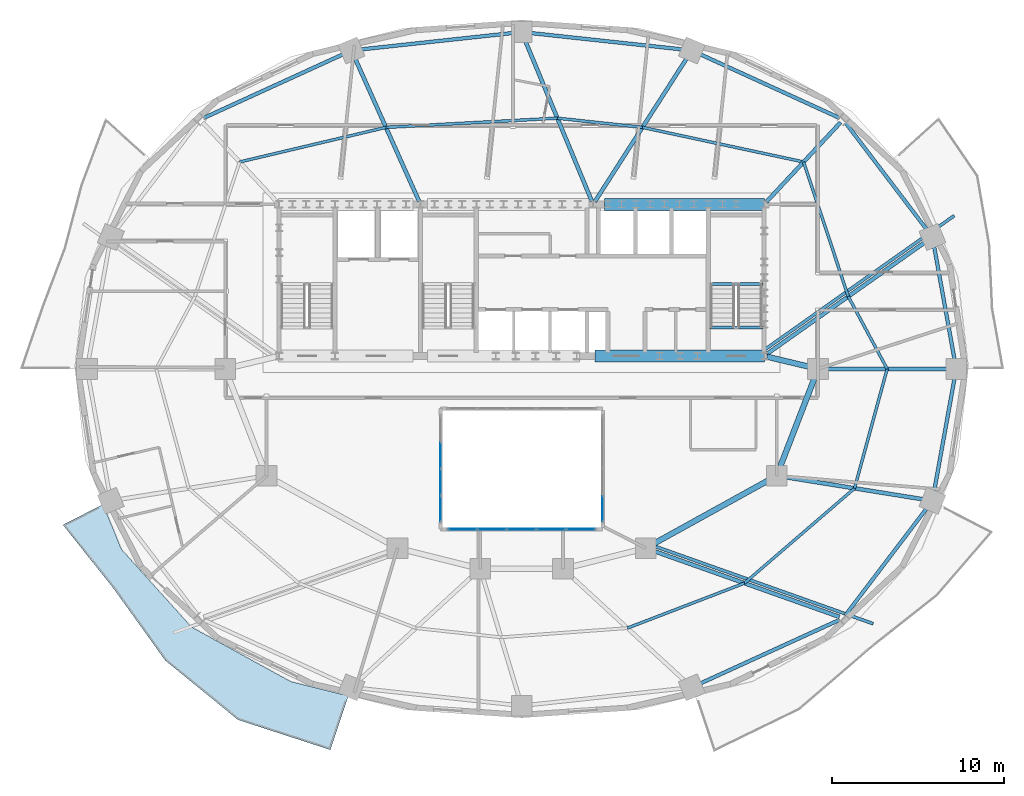
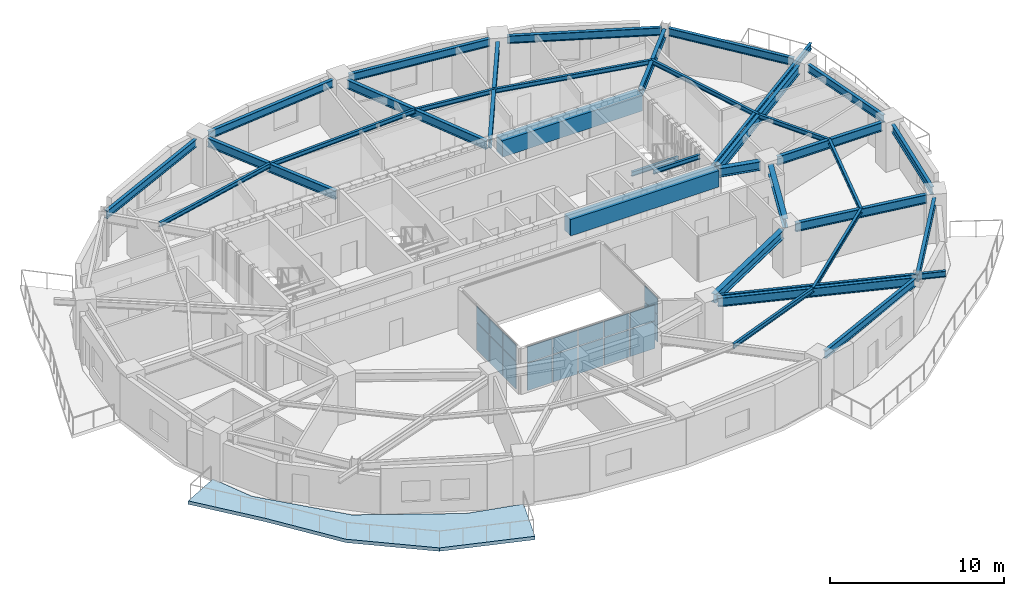
# One storey, part 4 of 13: 35 beams, 18 plates, 1 slab, 3 elements without a shape of their own.
"""IFC4 building model written with IfcOpenShell, lengths in metres."""

from ifc_helpers import new_model, si_unit, direction, frame, origin, origin_2d, place, context, subcontext, project, spatial, polyline, rectangle, i_section, outline, extrude, material, layer, layer_set, material_profile, profile_set, type_object, element, aggregate, save


model = new_model("IFC4")

# Units and contexts
model_context = context("Model", 3, precision=1e-05, world=origin(), true_north=direction((0.0, 1.0)))
body_context = subcontext(model_context, "Body", "Model", "MODEL_VIEW")
ifc_project = project(units=[si_unit("LENGTHUNIT", "METRE"), si_unit("AREAUNIT", "SQUARE_METRE"), si_unit("VOLUMEUNIT", "CUBIC_METRE"), si_unit("PLANEANGLEUNIT", "RADIAN"), si_unit("MASSUNIT", "GRAM", prefix="KILO")], contexts=[model_context])

# Site, building, storey
site_placement = place(None, origin())
site = spatial("IfcSite", under=ifc_project, at=site_placement, CompositionType="ELEMENT")
building_placement = place(site_placement, origin())
building = spatial("IfcBuilding", under=site, at=building_placement, Name="Haldorwick Loom Tower", CompositionType="ELEMENT")
storey_placement = place(building_placement, frame((0.0, 0.0, 178.60009765625)))
storey = spatial("IfcBuildingStorey", under=building, at=storey_placement, Name="L48", CompositionType="ELEMENT", Elevation=178.60009765625)

# Beams
ifc_material_1 = material(Name="Steel CSA G40.21 350W", Category="steel")
ifc_material_profile_1 = material_profile(ifc_material_1, i_section(OverallWidth=0.179931640625, OverallDepth=0.4130859375, WebThickness=0.009765625, FlangeThickness=0.01611328125, at=origin_2d()), Name="W410X74", Category="steel")
ifc_profile_set_1 = profile_set([ifc_material_profile_1], Name="Steel CSA G40.21 350W")
beam_type_1 = type_object("IfcBeamType", Name="STR-BM-BAL410", PredefinedType="BEAM", material=ifc_profile_set_1)
beam_1_placement = place(storey_placement, frame((43.78369140625, 15.68994140625, 3.00341796875), z_axis=(0.942447955832, -0.334352883266, 0.0), x_axis=(0.334352883266, 0.942447955832, 0.0)))
element("IfcBeam", 1, at=beam_1_placement, inside=storey, type_object=beam_type_1, Name="L48 Continuous Back-Spanned Balcony Beam 1", PredefinedType="BEAM", context=body_context, shape_type="SweptSolid", body=[
    extrude(i_section(OverallWidth=0.179931640625, OverallDepth=0.4130859375, WebThickness=0.009765625, FlangeThickness=0.01611328125, at=origin_2d()), origin(), (0.0, 0.0, 1.0), 13.385009765625),
])
beam_2_placement = place(storey_placement, frame((50.0537109375, 27.081298828125, 3.00341796875), z_axis=(0.816570167076, 0.57724618859, 0.0), x_axis=(-0.57724618859, 0.816570167076, 0.0)))
element("IfcBeam", 2, at=beam_2_placement, inside=storey, type_object=beam_type_1, Name="L48 Continuous Back-Spanned Balcony Beam 4", PredefinedType="BEAM", context=body_context, shape_type="SweptSolid", body=[
    extrude(i_section(OverallWidth=0.179931640625, OverallDepth=0.4130859375, WebThickness=0.009765625, FlangeThickness=0.01611328125, at=origin_2d()), origin(), (0.0, 0.0, 1.0), 13.531982421875),
])
ifc_material_2 = material(Name="Concrete C60 (60 MPa)", Category="concrete")
ifc_material_profile_2 = material_profile(ifc_material_2, rectangle(XDim=0.699951171875, YDim=1.14990234375, at=origin_2d()), Name="RC700X1150", Category="concrete")
ifc_profile_set_2 = profile_set([ifc_material_profile_2], Name="Concrete C60 (60 MPa)")
beam_type_2 = type_object("IfcBeamType", Name="STR-BM-CB1150", PredefinedType="LINTEL", material=ifc_profile_set_2)
beam_3_placement = place(storey_placement, frame((40.800048828125, 35.550048828125, 2.635009765625), z_axis=(1.0, 0.0, 0.0), x_axis=(0.0, 1.0, 0.0)))
element("IfcBeam", 3, at=beam_3_placement, inside=storey, type_object=beam_type_2, Name="L48 Core Coupling Beam CB-N3", PredefinedType="LINTEL", context=body_context, shape_type="SweptSolid", body=[
    extrude(rectangle(XDim=0.699951171875, YDim=1.14990234375, at=origin_2d()), origin(), (0.0, 0.0, 1.0), 9.300048828125),
])
beam_4_placement = place(storey_placement, frame((40.25, 26.75, 2.635009765625), z_axis=(1.0, 0.0, 0.0), x_axis=(0.0, 1.0, 0.0)))
element("IfcBeam", 4, at=beam_4_placement, inside=storey, type_object=beam_type_2, Name="L48 Core Coupling Beam CB-S3", PredefinedType="LINTEL", context=body_context, shape_type="SweptSolid", body=[
    extrude(rectangle(XDim=0.699951171875, YDim=1.14990234375, at=origin_2d()), origin(), (0.0, 0.0, 1.0), 9.85009765625),
])
ifc_material_profile_3 = material_profile(ifc_material_1, i_section(OverallWidth=0.166015625, OverallDepth=0.31298828125, WebThickness=0.006591796875, FlangeThickness=0.01123046875, at=origin_2d()), Name="W310X45", Category="steel")
ifc_profile_set_3 = profile_set([ifc_material_profile_3], Name="Steel CSA G40.21 350W")
beam_type_3 = type_object("IfcBeamType", Name="STR-BM-J310", PredefinedType="JOIST", material=ifc_profile_set_3)
beam_5_placement = place(storey_placement, frame((57.20849609375, 26.0, 3.053466796875), z_axis=(-0.472930162238, 0.881099915813, 0.0), x_axis=(-0.881099915813, -0.472930162238, 0.0)))
element("IfcBeam", 5, at=beam_5_placement, inside=storey, type_object=beam_type_3, Name="L48 Mid-Bay Secondary Joist 1", PredefinedType="JOIST", context=body_context, shape_type="SweptSolid", body=[
    extrude(i_section(OverallWidth=0.166015625, OverallDepth=0.31298828125, WebThickness=0.006591796875, FlangeThickness=0.01123046875, at=origin_2d()), origin(), (0.0, 0.0, 1.0), 4.76904296875),
])
beam_6_placement = place(storey_placement, frame((54.953125, 30.201904296875, 3.053466796875), z_axis=(-0.314980632705, 0.949098098734, 0.0), x_axis=(-0.949098098734, -0.314980632705, 0.0)))
element("IfcBeam", 6, at=beam_6_placement, inside=storey, type_object=beam_type_3, Name="L48 Mid-Bay Secondary Joist 2", PredefinedType="JOIST", context=body_context, shape_type="SweptSolid", body=[
    extrude(i_section(OverallWidth=0.166015625, OverallDepth=0.31298828125, WebThickness=0.006591796875, FlangeThickness=0.01123046875, at=origin_2d()), origin(), (0.0, 0.0, 1.0), 8.223876953125),
])
beam_7_placement = place(storey_placement, frame((52.36279296875, 38.007080078125, 3.053466796875), z_axis=(-0.977737366421, 0.209832414808, 0.0), x_axis=(-0.209832414808, -0.977737366421, 0.0)))
element("IfcBeam", 7, at=beam_7_placement, inside=storey, type_object=beam_type_3, Name="L48 Mid-Bay Secondary Joist 3", PredefinedType="JOIST", context=body_context, shape_type="SweptSolid", body=[
    extrude(i_section(OverallWidth=0.166015625, OverallDepth=0.31298828125, WebThickness=0.006591796875, FlangeThickness=0.01123046875, at=origin_2d()), origin(), (0.0, 0.0, 1.0), 9.56396484375),
])
beam_8_placement = place(storey_placement, frame((43.01171875, 40.013916015625, 3.053466796875), z_axis=(-0.994212584227, 0.107430616514, 0.0), x_axis=(-0.107430616514, -0.994212584227, 0.0)))
element("IfcBeam", 8, at=beam_8_placement, inside=storey, type_object=beam_type_3, Name="L48 Mid-Bay Secondary Joist 4", PredefinedType="JOIST", context=body_context, shape_type="SweptSolid", body=[
    extrude(i_section(OverallWidth=0.166015625, OverallDepth=0.31298828125, WebThickness=0.006591796875, FlangeThickness=0.01123046875, at=origin_2d()), origin(), (0.0, 0.0, 1.0), 4.965576171875),
])
beam_9_placement = place(storey_placement, frame((38.074951171875, 40.54736328125, 3.053466796875), z_axis=(-0.998564927415, -0.053554511828, 0.0), x_axis=(0.053554511828, -0.998564927415, 0.0)))
element("IfcBeam", 9, at=beam_9_placement, inside=storey, type_object=beam_type_3, Name="L48 Mid-Bay Secondary Joist 5", PredefinedType="JOIST", context=body_context, shape_type="SweptSolid", body=[
    extrude(i_section(OverallWidth=0.166015625, OverallDepth=0.31298828125, WebThickness=0.006591796875, FlangeThickness=0.01123046875, at=origin_2d()), origin(), (0.0, 0.0, 1.0), 9.9609375),
])
beam_10_placement = place(storey_placement, frame((28.12841796875, 40.013916015625, 3.053466796875), z_axis=(-0.973189168086, -0.230006180612, 0.0), x_axis=(0.230006180612, -0.973189168086, 0.0)))
element("IfcBeam", 10, at=beam_10_placement, inside=storey, type_object=beam_type_3, Name="L48 Mid-Bay Secondary Joist 6", PredefinedType="JOIST", context=body_context, shape_type="SweptSolid", body=[
    extrude(i_section(OverallWidth=0.166015625, OverallDepth=0.31298828125, WebThickness=0.006591796875, FlangeThickness=0.01123046875, at=origin_2d()), origin(), (0.0, 0.0, 1.0), 8.72509765625),
])
beam_11_placement = place(storey_placement, frame((42.13671875, 10.961181640625, 3.053466796875), z_axis=(0.933586737031, 0.358351509609, 0.0), x_axis=(-0.358351509609, 0.933586737031, 0.0)))
element("IfcBeam", 11, at=beam_11_placement, inside=storey, type_object=beam_type_3, Name="L48 Mid-Bay Secondary Joist 14", PredefinedType="JOIST", context=body_context, shape_type="SweptSolid", body=[
    extrude(i_section(OverallWidth=0.166015625, OverallDepth=0.31298828125, WebThickness=0.006591796875, FlangeThickness=0.01123046875, at=origin_2d()), origin(), (0.0, 0.0, 1.0), 7.274169921875),
])
beam_12_placement = place(storey_placement, frame((48.927734375, 13.56787109375, 3.053466796875), z_axis=(0.75763401328, 0.652679631918, 0.0), x_axis=(-0.652679631918, 0.75763401328, 0.0)))
element("IfcBeam", 12, at=beam_12_placement, inside=storey, type_object=beam_type_3, Name="L48 Mid-Bay Secondary Joist 15", PredefinedType="JOIST", context=body_context, shape_type="SweptSolid", body=[
    extrude(i_section(OverallWidth=0.166015625, OverallDepth=0.31298828125, WebThickness=0.006591796875, FlangeThickness=0.01123046875, at=origin_2d()), origin(), (0.0, 0.0, 1.0), 8.4345703125),
])
beam_13_placement = place(storey_placement, frame((55.318115234375, 19.072998046875, 3.053466796875), z_axis=(0.263272762578, 0.964721437766, 0.0), x_axis=(-0.964721437766, 0.263272762578, 0.0)))
element("IfcBeam", 13, at=beam_13_placement, inside=storey, type_object=beam_type_3, Name="L48 Mid-Bay Secondary Joist 16", PredefinedType="JOIST", context=body_context, shape_type="SweptSolid", body=[
    extrude(i_section(OverallWidth=0.166015625, OverallDepth=0.31298828125, WebThickness=0.006591796875, FlangeThickness=0.01123046875, at=origin_2d()), origin(), (0.0, 0.0, 1.0), 7.180419921875),
])
ifc_material_profile_4 = material_profile(ifc_material_1, i_section(OverallWidth=0.2119140625, OverallDepth=0.5439453125, WebThickness=0.01318359375, FlangeThickness=0.021240234375, at=origin_2d()), Name="W530X123", Category="steel")
ifc_profile_set_4 = profile_set([ifc_material_profile_4], Name="Steel CSA G40.21 350W")
beam_type_4 = type_object("IfcBeamType", Name="STR-BM-SP530", PredefinedType="SPANDREL", material=ifc_profile_set_4)
beam_14_placement = place(storey_placement, frame((61.124755859375, 26.51171875, 2.93798828125), z_axis=(-0.177558730702, 0.984110205796, 0.0), x_axis=(-0.984110205796, -0.177558730702, 0.0)))
element("IfcBeam", 14, at=beam_14_placement, inside=storey, type_object=beam_type_4, Name="L48 Perimeter Spandrel 1", PredefinedType="SPANDREL", context=body_context, shape_type="SweptSolid", body=[
    extrude(i_section(OverallWidth=0.2119140625, OverallDepth=0.5439453125, WebThickness=0.01318359375, FlangeThickness=0.021240234375, at=origin_2d()), origin(), (0.0, 0.0, 1.0), 6.737548828125),
])
beam_15_placement = place(storey_placement, frame((59.521240234375, 34.067626953125, 2.93798828125), z_axis=(-0.605421569293, 0.79590497136, 0.0), x_axis=(-0.79590497136, -0.605421569293, 0.0)))
element("IfcBeam", 15, at=beam_15_placement, inside=storey, type_object=beam_type_4, Name="L48 Perimeter Spandrel 2", PredefinedType="SPANDREL", context=body_context, shape_type="SweptSolid", body=[
    extrude(i_section(OverallWidth=0.2119140625, OverallDepth=0.5439453125, WebThickness=0.01318359375, FlangeThickness=0.021240234375, at=origin_2d()), origin(), (0.0, 0.0, 1.0), 7.81201171875),
])
beam_16_placement = place(storey_placement, frame((54.450927734375, 40.5576171875, 2.93798828125), z_axis=(-0.909523899848, 0.415651627695, 0.0), x_axis=(-0.415651627695, -0.909523899848, 0.0)))
element("IfcBeam", 16, at=beam_16_placement, inside=storey, type_object=beam_type_4, Name="L48 Perimeter Spandrel 3", PredefinedType="SPANDREL", context=body_context, shape_type="SweptSolid", body=[
    extrude(i_section(OverallWidth=0.2119140625, OverallDepth=0.5439453125, WebThickness=0.01318359375, FlangeThickness=0.021240234375, at=origin_2d()), origin(), (0.0, 0.0, 1.0), 8.910888671875),
])
for number, where, z_axis, x_axis, name in (
    (17, (45.356201171875, 44.533447265625, 2.93798828125), (-0.994210140187, 0.107453232386, 0.0), (-0.107453232386, -0.994210140187, 0.0), "L48 Perimeter Spandrel 4"),
    (18, (35.48291015625, 45.48876953125, 2.93798828125), (-0.994210140187, -0.107453232386, 0.0), (0.107453232386, -0.994210140187, 0.0), "L48 Perimeter Spandrel 5"),
):
    element("IfcBeam", number, at=place(storey_placement, frame(where, z_axis=z_axis, x_axis=x_axis)), inside=storey, type_object=beam_type_4, Name=name, PredefinedType="SPANDREL", context=body_context, shape_type="SweptSolid", body=[
        extrude(i_section(OverallWidth=0.2119140625, OverallDepth=0.5439453125, WebThickness=0.01318359375, FlangeThickness=0.021240234375, at=origin_2d()), origin(), (0.0, 0.0, 1.0), 8.890625),
    ])
for number, where, z_axis, x_axis, name in (
    (19, (25.65380859375, 44.261474609375, 2.93798828125), (-0.909523899848, -0.415651627695, 0.0), (0.415651627695, -0.909523899848, 0.0), "L48 Perimeter Spandrel 6"),
    (20, (46.34619140625, 7.738525390625, 2.93798828125), (0.909523899848, 0.415651627695, 0.0), (-0.415651627695, 0.909523899848, 0.0), "L48 Perimeter Spandrel 14"),
):
    element("IfcBeam", number, at=place(storey_placement, frame(where, z_axis=z_axis, x_axis=x_axis)), inside=storey, type_object=beam_type_4, Name=name, PredefinedType="SPANDREL", context=body_context, shape_type="SweptSolid", body=[
        extrude(i_section(OverallWidth=0.2119140625, OverallDepth=0.5439453125, WebThickness=0.01318359375, FlangeThickness=0.021240234375, at=origin_2d()), origin(), (0.0, 0.0, 1.0), 8.910888671875),
    ])
beam_17_placement = place(storey_placement, frame((54.791748046875, 11.71484375, 2.93798828125), z_axis=(0.605421569293, 0.79590497136, 0.0), x_axis=(-0.79590497136, 0.605421569293, 0.0)))
element("IfcBeam", 21, at=beam_17_placement, inside=storey, type_object=beam_type_4, Name="L48 Perimeter Spandrel 15", PredefinedType="SPANDREL", context=body_context, shape_type="SweptSolid", body=[
    extrude(i_section(OverallWidth=0.2119140625, OverallDepth=0.5439453125, WebThickness=0.01318359375, FlangeThickness=0.021240234375, at=origin_2d()), origin(), (0.0, 0.0, 1.0), 7.81201171875),
])
beam_18_placement = place(storey_placement, frame((59.928466796875, 18.85791015625, 2.93798828125), z_axis=(0.177558730702, 0.984110205796, 0.0), x_axis=(-0.984110205796, 0.177558730702, 0.0)))
element("IfcBeam", 22, at=beam_18_placement, inside=storey, type_object=beam_type_4, Name="L48 Perimeter Spandrel 16", PredefinedType="SPANDREL", context=body_context, shape_type="SweptSolid", body=[
    extrude(i_section(OverallWidth=0.2119140625, OverallDepth=0.5439453125, WebThickness=0.01318359375, FlangeThickness=0.021240234375, at=origin_2d()), origin(), (0.0, 0.0, 1.0), 6.737548828125),
])
ifc_material_profile_5 = material_profile(ifc_material_1, i_section(OverallWidth=0.166015625, OverallDepth=0.31298828125, WebThickness=0.006591796875, FlangeThickness=0.01123046875, at=origin_2d()), Name="W310X45", Category="steel")
ifc_profile_set_5 = profile_set([ifc_material_profile_5], Name="Steel CSA G40.21 350W")
beam_type_5 = type_object("IfcBeamType", Name="STR-BM-STRM", PredefinedType="BEAM", material=ifc_profile_set_5)
for number, where, z_axis, x_axis, name in (
    (23, (46.889892578125, 28.39990234375, 3.053466796875), (1.0, 0.0, 0.0), (0.0, 1.0, 0.0), "L48 Stair ST-02 Landing Edge Trimmer"),
    (24, (46.889892578125, 30.919921875, 1.368408203125), (1.0, 0.0, 0.0), (0.0, 1.0, 0.0), "L48 Stair ST-02 Half-Landing Trimmer 1"),
):
    element("IfcBeam", number, at=place(storey_placement, frame(where, z_axis=z_axis, x_axis=x_axis)), inside=storey, type_object=beam_type_5, Name=name, PredefinedType="BEAM", context=body_context, shape_type="SweptSolid", body=[
        extrude(i_section(OverallWidth=0.166015625, OverallDepth=0.31298828125, WebThickness=0.006591796875, FlangeThickness=0.01123046875, at=origin_2d()), origin(), (0.0, 0.0, 1.0), 3.1201171875),
    ])
ifc_material_profile_6 = material_profile(ifc_material_1, i_section(OverallWidth=0.324951171875, OverallDepth=0.615966796875, WebThickness=0.013916015625, FlangeThickness=0.021484375, at=origin_2d()), Name="W610X174", Category="steel")
ifc_profile_set_6 = profile_set([ifc_material_profile_6], Name="Steel CSA G40.21 350W")
beam_type_6 = type_object("IfcBeamType", Name="STR-BM-W610A", PredefinedType="BEAM", material=ifc_profile_set_6)
beam_19_placement = place(storey_placement, frame((50.2431640625, 26.70849609375, 2.90185546875), z_axis=(0.97246637463, -0.233043236789, 0.0), x_axis=(0.233043236789, 0.97246637463, 0.0)))
element("IfcBeam", 25, at=beam_19_placement, inside=storey, type_object=beam_type_6, Name="L48 Inner Ring Girder 1", PredefinedType="BEAM", context=body_context, shape_type="SweptSolid", body=[
    extrude(i_section(OverallWidth=0.324951171875, OverallDepth=0.615966796875, WebThickness=0.013916015625, FlangeThickness=0.021484375, at=origin_2d()), origin(), (0.0, 0.0, 1.0), 2.5205078125),
])
beam_20_placement = place(storey_placement, frame((53.01220703125, 25.51513671875, 2.90185546875), z_axis=(-0.360964792353, -0.93257944363, 0.0), x_axis=(0.93257944363, -0.360964792353, 0.0)))
element("IfcBeam", 26, at=beam_20_placement, inside=storey, type_object=beam_type_6, Name="L48 Inner Ring Girder 2", PredefinedType="BEAM", context=body_context, shape_type="SweptSolid", body=[
    extrude(i_section(OverallWidth=0.324951171875, OverallDepth=0.615966796875, WebThickness=0.013916015625, FlangeThickness=0.021484375, at=origin_2d()), origin(), (0.0, 0.0, 1.0), 5.6083984375),
])
beam_21_placement = place(storey_placement, frame((50.344970703125, 19.548583984375, 2.90185546875), z_axis=(-0.875244382146, -0.483680960471, 0.0), x_axis=(0.483680960471, -0.875244382146, 0.0)))
element("IfcBeam", 27, at=beam_21_placement, inside=storey, type_object=beam_type_6, Name="L48 Inner Ring Girder 3", PredefinedType="BEAM", context=body_context, shape_type="SweptSolid", body=[
    extrude(i_section(OverallWidth=0.324951171875, OverallDepth=0.615966796875, WebThickness=0.013916015625, FlangeThickness=0.021484375, at=origin_2d()), origin(), (0.0, 0.0, 1.0), 7.6435546875),
])
ifc_material_profile_7 = material_profile(ifc_material_1, i_section(OverallWidth=0.22998046875, OverallDepth=0.616943359375, WebThickness=0.01318359375, FlangeThickness=0.022216796875, at=origin_2d()), Name="W610X140", Category="steel")
ifc_profile_set_7 = profile_set([ifc_material_profile_7], Name="Steel CSA G40.21 350W")
beam_type_7 = type_object("IfcBeamType", Name="STR-BM-W610B", PredefinedType="BEAM", material=ifc_profile_set_7)
beam_22_placement = place(storey_placement, frame((53.719970703125, 26.0, 2.9013671875), z_axis=(1.0, 0.0, 0.0), x_axis=(0.0, 1.0, 0.0)))
element("IfcBeam", 28, at=beam_22_placement, inside=storey, type_object=beam_type_7, Name="L48 Radial Floor Girder 1", PredefinedType="BEAM", context=body_context, shape_type="SweptSolid", body=[
    extrude(i_section(OverallWidth=0.22998046875, OverallDepth=0.616943359375, WebThickness=0.01318359375, FlangeThickness=0.022216796875, at=origin_2d()), origin(), (0.0, 0.0, 1.0), 6.97705078125),
])
beam_23_placement = place(storey_placement, frame((50.21533203125, 26.852783203125, 2.9013671875), z_axis=(0.816581374163, 0.577230334763, 0.0), x_axis=(-0.577230334763, 0.816581374163, 0.0)))
element("IfcBeam", 29, at=beam_23_placement, inside=storey, type_object=beam_type_7, Name="L48 Radial Floor Girder 2", PredefinedType="BEAM", context=body_context, shape_type="SweptSolid", body=[
    extrude(i_section(OverallWidth=0.22998046875, OverallDepth=0.616943359375, WebThickness=0.01318359375, FlangeThickness=0.022216796875, at=origin_2d()), origin(), (0.0, 0.0, 1.0), 11.261962890625),
])
beam_24_placement = place(storey_placement, frame((50.19140625, 35.68017578125, 2.9013671875), z_axis=(0.682245282958, 0.731123364339, 0.0), x_axis=(-0.731123364339, 0.682245282958, 0.0)))
element("IfcBeam", 30, at=beam_24_placement, inside=storey, type_object=beam_type_7, Name="L48 Radial Floor Girder 3", PredefinedType="BEAM", context=body_context, shape_type="SweptSolid", body=[
    extrude(i_section(OverallWidth=0.22998046875, OverallDepth=0.616943359375, WebThickness=0.01318359375, FlangeThickness=0.022216796875, at=origin_2d()), origin(), (0.0, 0.0, 1.0), 6.318603515625),
])
beam_25_placement = place(storey_placement, frame((40.24609375, 35.699951171875, 2.9013671875), z_axis=(0.539693434869, 0.841861625423, 0.0), x_axis=(-0.841861625423, 0.539693434869, 0.0)))
element("IfcBeam", 31, at=beam_25_placement, inside=storey, type_object=beam_type_7, Name="L48 Radial Floor Girder 4", PredefinedType="BEAM", context=body_context, shape_type="SweptSolid", body=[
    extrude(i_section(OverallWidth=0.22998046875, OverallDepth=0.616943359375, WebThickness=0.01318359375, FlangeThickness=0.022216796875, at=origin_2d()), origin(), (0.0, 0.0, 1.0), 9.906494140625),
])
beam_26_placement = place(storey_placement, frame((40.081787109375, 35.71435546875, 2.9013671875), z_axis=(-0.383474700215, 0.923551381513, 0.0), x_axis=(-0.923551381513, -0.383474700215, 0.0)))
element("IfcBeam", 32, at=beam_26_placement, inside=storey, type_object=beam_type_7, Name="L48 Radial Floor Girder 5", PredefinedType="BEAM", context=body_context, shape_type="SweptSolid", body=[
    extrude(i_section(OverallWidth=0.22998046875, OverallDepth=0.616943359375, WebThickness=0.01318359375, FlangeThickness=0.022216796875, at=origin_2d()), origin(), (0.0, 0.0, 1.0), 10.1240234375),
])
beam_27_placement = place(storey_placement, frame((30.05712890625, 35.71240234375, 2.9013671875), z_axis=(-0.409145396953, 0.912469201755, 0.0), x_axis=(-0.912469201755, -0.409145396953, 0.0)))
element("IfcBeam", 33, at=beam_27_placement, inside=storey, type_object=beam_type_7, Name="L48 Radial Floor Girder 6", PredefinedType="BEAM", context=body_context, shape_type="SweptSolid", body=[
    extrude(i_section(OverallWidth=0.22998046875, OverallDepth=0.616943359375, WebThickness=0.01318359375, FlangeThickness=0.022216796875, at=origin_2d()), origin(), (0.0, 0.0, 1.0), 9.086181640625),
])
beam_28_placement = place(storey_placement, frame((43.690185546875, 15.426025390625, 2.9013671875), z_axis=(0.942449496381, -0.334348540854, 0.0), x_axis=(0.334348540854, 0.942449496381, 0.0)))
element("IfcBeam", 34, at=beam_28_placement, inside=storey, type_object=beam_type_7, Name="L48 Radial Floor Girder 15", PredefinedType="BEAM", context=body_context, shape_type="SweptSolid", body=[
    extrude(i_section(OverallWidth=0.22998046875, OverallDepth=0.616943359375, WebThickness=0.01318359375, FlangeThickness=0.022216796875, at=origin_2d()), origin(), (0.0, 0.0, 1.0), 11.41015625),
])
beam_29_placement = place(storey_placement, frame((51.3134765625, 19.71728515625, 2.9013671875), z_axis=(0.987308639475, -0.158813256432, 0.0), x_axis=(0.158813256432, 0.987308639475, 0.0)))
element("IfcBeam", 35, at=beam_29_placement, inside=storey, type_object=beam_type_7, Name="L48 Radial Floor Girder 16", PredefinedType="BEAM", context=body_context, shape_type="SweptSolid", body=[
    extrude(i_section(OverallWidth=0.22998046875, OverallDepth=0.616943359375, WebThickness=0.01318359375, FlangeThickness=0.022216796875, at=origin_2d()), origin(), (0.0, 0.0, 1.0), 8.1123046875),
])

# Curtain wall, plates
ifc_material_3 = material(Name="Thermally Broken Anodized Aluminium Curtain Wall Framing", Category="aluminium")
curtain_wall_type = type_object("IfcCurtainWallType", Name="ARC-CW-03", PredefinedType="NOTDEFINED", material=ifc_material_3)
curtain_wall_1_placement = place(storey_placement, origin())
curtain_wall_1 = element("IfcCurtainWall", 36, at=curtain_wall_1_placement, inside=storey, type_object=curtain_wall_type, Name="L48 Atrium Glazed Screen S", PredefinedType="NOTDEFINED")
ifc_material_4 = material(Name="Triple-Glazed Low-E Argon Insulated Glazing Unit", Category="glass")
ifc_layer_1 = layer(ifc_material_4, 0.04296875, Name="Triple-Glazed Low-E Argon Insulated Glazing Unit", Category="glass")
ifc_layer_set_1 = layer_set([ifc_layer_1], Name="Triple-Glazed Low-E Argon Insulated Glazing Unit")
plate_type = type_object("IfcPlateType", Name="ARC-CWP-03", PredefinedType="CURTAIN_PANEL", material=ifc_layer_set_1)
plate_1_placement = place(storey_placement, frame((39.423583984375, 16.699951171875, 0.06591796875), z_axis=(0.0, 0.0, 1.0), x_axis=(-1.0, 0.0, 0.0)))
plate_1 = element("IfcPlate", 37, at=plate_1_placement, type_object=plate_type, Name="CW-03 panel 1.1", PredefinedType="CURTAIN_PANEL", context=body_context, shape_type="SweptSolid", body=[
    extrude(rectangle(XDim=1.62109375, YDim=0.04296875, at=origin_2d()), origin(), (0.0, 0.0, 1.0), 1.90087890625),
])
plate_2_placement = place(storey_placement, frame((39.423583984375, 16.699951171875, 2.03271484375), z_axis=(0.0, 0.0, 1.0), x_axis=(-1.0, 0.0, 0.0)))
plate_2 = element("IfcPlate", 38, at=plate_2_placement, type_object=plate_type, Name="CW-03 panel 1.2", PredefinedType="CURTAIN_PANEL", context=body_context, shape_type="SweptSolid", body=[
    extrude(rectangle(XDim=1.62109375, YDim=0.04296875, at=origin_2d()), origin(), (0.0, 0.0, 1.0), 1.111083984375),
])
plate_3_placement = place(storey_placement, frame((37.719970703125, 16.699951171875, 0.06591796875), z_axis=(0.0, 0.0, 1.0), x_axis=(-1.0, 0.0, 0.0)))
plate_3 = element("IfcPlate", 39, at=plate_3_placement, type_object=plate_type, Name="CW-03 panel 2.1", PredefinedType="CURTAIN_PANEL", context=body_context, shape_type="SweptSolid", body=[
    extrude(rectangle(XDim=1.654052734375, YDim=0.04296875, at=origin_2d()), origin(), (0.0, 0.0, 1.0), 1.90087890625),
])
plate_4_placement = place(storey_placement, frame((37.719970703125, 16.699951171875, 2.03271484375), z_axis=(0.0, 0.0, 1.0), x_axis=(-1.0, 0.0, 0.0)))
plate_4 = element("IfcPlate", 40, at=plate_4_placement, type_object=plate_type, Name="CW-03 panel 2.2", PredefinedType="CURTAIN_PANEL", context=body_context, shape_type="SweptSolid", body=[
    extrude(rectangle(XDim=1.654052734375, YDim=0.04296875, at=origin_2d()), origin(), (0.0, 0.0, 1.0), 1.111083984375),
])
plate_5_placement = place(storey_placement, frame((36.0, 16.699951171875, 0.06591796875), z_axis=(0.0, 0.0, 1.0), x_axis=(-1.0, 0.0, 0.0)))
plate_5 = element("IfcPlate", 41, at=plate_5_placement, type_object=plate_type, Name="CW-03 panel 3.1", PredefinedType="CURTAIN_PANEL", context=body_context, shape_type="SweptSolid", body=[
    extrude(rectangle(XDim=1.654052734375, YDim=0.04296875, at=origin_2d()), origin(), (0.0, 0.0, 1.0), 1.90087890625),
])
plate_6_placement = place(storey_placement, frame((36.0, 16.699951171875, 2.03271484375), z_axis=(0.0, 0.0, 1.0), x_axis=(-1.0, 0.0, 0.0)))
plate_6 = element("IfcPlate", 42, at=plate_6_placement, type_object=plate_type, Name="CW-03 panel 3.2", PredefinedType="CURTAIN_PANEL", context=body_context, shape_type="SweptSolid", body=[
    extrude(rectangle(XDim=1.654052734375, YDim=0.04296875, at=origin_2d()), origin(), (0.0, 0.0, 1.0), 1.111083984375),
])
plate_7_placement = place(storey_placement, frame((34.280029296875, 16.699951171875, 0.06591796875), z_axis=(0.0, 0.0, 1.0), x_axis=(-1.0, 0.0, 0.0)))
plate_7 = element("IfcPlate", 43, at=plate_7_placement, type_object=plate_type, Name="CW-03 panel 4.1", PredefinedType="CURTAIN_PANEL", context=body_context, shape_type="SweptSolid", body=[
    extrude(rectangle(XDim=1.654052734375, YDim=0.04296875, at=origin_2d()), origin(), (0.0, 0.0, 1.0), 1.90087890625),
])
plate_8_placement = place(storey_placement, frame((34.280029296875, 16.699951171875, 2.03271484375), z_axis=(0.0, 0.0, 1.0), x_axis=(-1.0, 0.0, 0.0)))
plate_8 = element("IfcPlate", 44, at=plate_8_placement, type_object=plate_type, Name="CW-03 panel 4.2", PredefinedType="CURTAIN_PANEL", context=body_context, shape_type="SweptSolid", body=[
    extrude(rectangle(XDim=1.654052734375, YDim=0.04296875, at=origin_2d()), origin(), (0.0, 0.0, 1.0), 1.111083984375),
])
plate_9_placement = place(storey_placement, frame((32.576416015625, 16.699951171875, 0.06591796875), z_axis=(0.0, 0.0, 1.0), x_axis=(-1.0, 0.0, 0.0)))
plate_9 = element("IfcPlate", 45, at=plate_9_placement, type_object=plate_type, Name="CW-03 panel 5.1", PredefinedType="CURTAIN_PANEL", context=body_context, shape_type="SweptSolid", body=[
    extrude(rectangle(XDim=1.62109375, YDim=0.04296875, at=origin_2d()), origin(), (0.0, 0.0, 1.0), 1.90087890625),
])
plate_10_placement = place(storey_placement, frame((32.576416015625, 16.699951171875, 2.03271484375), z_axis=(0.0, 0.0, 1.0), x_axis=(-1.0, 0.0, 0.0)))
plate_10 = element("IfcPlate", 46, at=plate_10_placement, type_object=plate_type, Name="CW-03 panel 5.2", PredefinedType="CURTAIN_PANEL", context=body_context, shape_type="SweptSolid", body=[
    extrude(rectangle(XDim=1.62109375, YDim=0.04296875, at=origin_2d()), origin(), (0.0, 0.0, 1.0), 1.111083984375),
])
aggregate(curtain_wall_1, [plate_1, plate_2, plate_3, plate_4, plate_5, plate_6, plate_7, plate_8, plate_9, plate_10])

curtain_wall_2_placement = place(storey_placement, origin())
curtain_wall_2 = element("IfcCurtainWall", 47, at=curtain_wall_2_placement, inside=storey, type_object=curtain_wall_type, Name="L48 Atrium Glazed Screen W", PredefinedType="NOTDEFINED")
plate_11_placement = place(storey_placement, frame((31.300048828125, 17.8916015625, 0.06591796875), z_axis=(0.0, 0.0, 1.0), x_axis=(0.0, 1.0, 0.0)))
plate_11 = element("IfcPlate", 48, at=plate_11_placement, type_object=plate_type, Name="CW-03 panel 1.1", PredefinedType="CURTAIN_PANEL", context=body_context, shape_type="SweptSolid", body=[
    extrude(rectangle(XDim=1.450927734375, YDim=0.04296875, at=origin_2d()), origin(), (0.0, 0.0, 1.0), 1.90087890625),
])
plate_12_placement = place(storey_placement, frame((31.300048828125, 17.8916015625, 2.03271484375), z_axis=(0.0, 0.0, 1.0), x_axis=(0.0, 1.0, 0.0)))
plate_12 = element("IfcPlate", 49, at=plate_12_placement, type_object=plate_type, Name="CW-03 panel 1.2", PredefinedType="CURTAIN_PANEL", context=body_context, shape_type="SweptSolid", body=[
    extrude(rectangle(XDim=1.450927734375, YDim=0.04296875, at=origin_2d()), origin(), (0.0, 0.0, 1.0), 1.111083984375),
])
plate_13_placement = place(storey_placement, frame((31.300048828125, 19.425048828125, 0.06591796875), z_axis=(0.0, 0.0, 1.0), x_axis=(0.0, 1.0, 0.0)))
plate_13 = element("IfcPlate", 50, at=plate_13_placement, type_object=plate_type, Name="CW-03 panel 2.1", PredefinedType="CURTAIN_PANEL", context=body_context, shape_type="SweptSolid", body=[
    extrude(rectangle(XDim=1.48388671875, YDim=0.04296875, at=origin_2d()), origin(), (0.0, 0.0, 1.0), 1.90087890625),
])
plate_14_placement = place(storey_placement, frame((31.300048828125, 19.425048828125, 2.03271484375), z_axis=(0.0, 0.0, 1.0), x_axis=(0.0, 1.0, 0.0)))
plate_14 = element("IfcPlate", 51, at=plate_14_placement, type_object=plate_type, Name="CW-03 panel 2.2", PredefinedType="CURTAIN_PANEL", context=body_context, shape_type="SweptSolid", body=[
    extrude(rectangle(XDim=1.48388671875, YDim=0.04296875, at=origin_2d()), origin(), (0.0, 0.0, 1.0), 1.111083984375),
])
plate_15_placement = place(storey_placement, frame((31.300048828125, 20.97509765625, 0.06591796875), z_axis=(0.0, 0.0, 1.0), x_axis=(0.0, 1.0, 0.0)))
plate_15 = element("IfcPlate", 52, at=plate_15_placement, type_object=plate_type, Name="CW-03 panel 3.1", PredefinedType="CURTAIN_PANEL", context=body_context, shape_type="SweptSolid", body=[
    extrude(rectangle(XDim=1.48388671875, YDim=0.04296875, at=origin_2d()), origin(), (0.0, 0.0, 1.0), 1.90087890625),
])
plate_16_placement = place(storey_placement, frame((31.300048828125, 20.97509765625, 2.03271484375), z_axis=(0.0, 0.0, 1.0), x_axis=(0.0, 1.0, 0.0)))
plate_16 = element("IfcPlate", 53, at=plate_16_placement, type_object=plate_type, Name="CW-03 panel 3.2", PredefinedType="CURTAIN_PANEL", context=body_context, shape_type="SweptSolid", body=[
    extrude(rectangle(XDim=1.48388671875, YDim=0.04296875, at=origin_2d()), origin(), (0.0, 0.0, 1.0), 1.111083984375),
])
aggregate(curtain_wall_2, [plate_11, plate_12, plate_13, plate_14, plate_15, plate_16])

curtain_wall_3_placement = place(storey_placement, origin())
curtain_wall_3 = element("IfcCurtainWall", 54, at=curtain_wall_3_placement, inside=storey, type_object=curtain_wall_type, Name="L48 Atrium Glazed Screen E", PredefinedType="NOTDEFINED")
plate_17_placement = place(storey_placement, frame((40.699951171875, 17.8916015625, 0.06591796875), z_axis=(0.0, 0.0, 1.0), x_axis=(0.0, -1.0, 0.0)))
plate_17 = element("IfcPlate", 55, at=plate_17_placement, type_object=plate_type, Name="CW-03 panel 4.1", PredefinedType="CURTAIN_PANEL", context=body_context, shape_type="SweptSolid", body=[
    extrude(rectangle(XDim=1.450927734375, YDim=0.04296875, at=origin_2d()), origin(), (0.0, 0.0, 1.0), 1.90087890625),
])
plate_18_placement = place(storey_placement, frame((40.699951171875, 17.8916015625, 2.03271484375), z_axis=(0.0, 0.0, 1.0), x_axis=(0.0, -1.0, 0.0)))
plate_18 = element("IfcPlate", 56, at=plate_18_placement, type_object=plate_type, Name="CW-03 panel 4.2", PredefinedType="CURTAIN_PANEL", context=body_context, shape_type="SweptSolid", body=[
    extrude(rectangle(XDim=1.450927734375, YDim=0.04296875, at=origin_2d()), origin(), (0.0, 0.0, 1.0), 1.111083984375),
])
aggregate(curtain_wall_3, [plate_17, plate_18])

# Slab
ifc_material_5 = material(Name="Concrete C40 (40 MPa)", Category="concrete")
ifc_layer_2 = layer(ifc_material_5, 0.239990234375, Name="Concrete C40 (40 MPa)", Category="concrete")
ifc_layer_set_2 = layer_set([ifc_layer_2], Name="Concrete C40 (40 MPa)")
slab_type = type_object("IfcSlabType", Name="STR-SLB-BAL240", PredefinedType="FLOOR", material=ifc_layer_set_2)
slab_placement = place(storey_placement, frame((0.0, 0.0, -0.239990234375)))
element("IfcSlab", 57, at=slab_placement, inside=storey, type_object=slab_type, Name="L48 Sinusoidal Balcony Terrace BAL_SW", PredefinedType="FLOOR", context=body_context, shape_type="SweptSolid", body=[
    extrude(outline(polyline([(25.94091796875, 7.027587890625), (22.6005859375, 7.861572265625), (22.599365234375, 7.86181640625), (22.59814453125, 7.8623046875), (22.596923828125, 7.863037109375), (16.84228515625, 11.02783203125), (16.8408203125, 11.028564453125), (16.83935546875, 11.02978515625), (16.83837890625, 11.031005859375), (12.786865234375, 15.526123046875), (12.785888671875, 15.527099609375), (12.78515625, 15.528076171875), (12.78466796875, 15.529296875), (12.783935546875, 15.530517578125), (11.715576171875, 18.14208984375), (9.3896484375, 16.9501953125), (12.34619140625, 13.228271484375), (15.322021484375, 9.08544921875), (19.544677734375, 5.6396484375), (24.896484375, 3.901123046875), (25.94091796875, 7.027587890625)])), origin(), (0.0, 0.0, 1.0), 0.239990234375),
])

save(model, "model.ifc")
